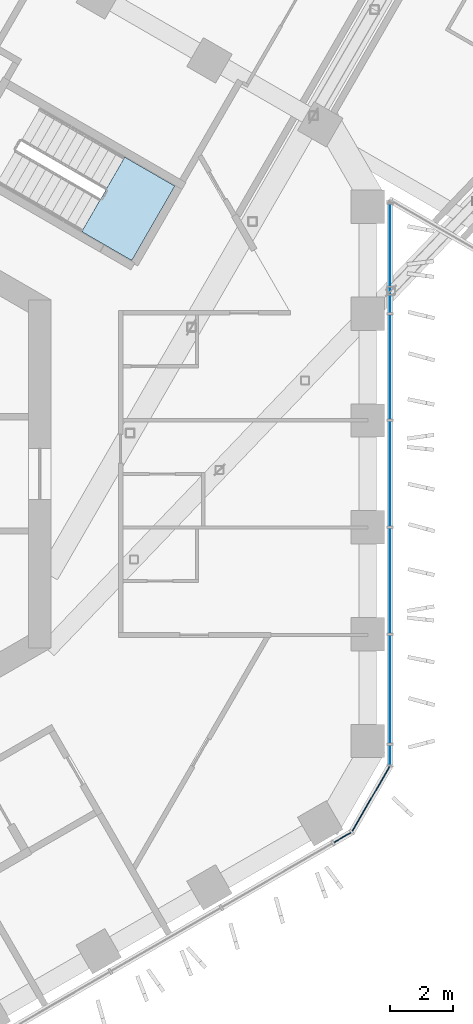
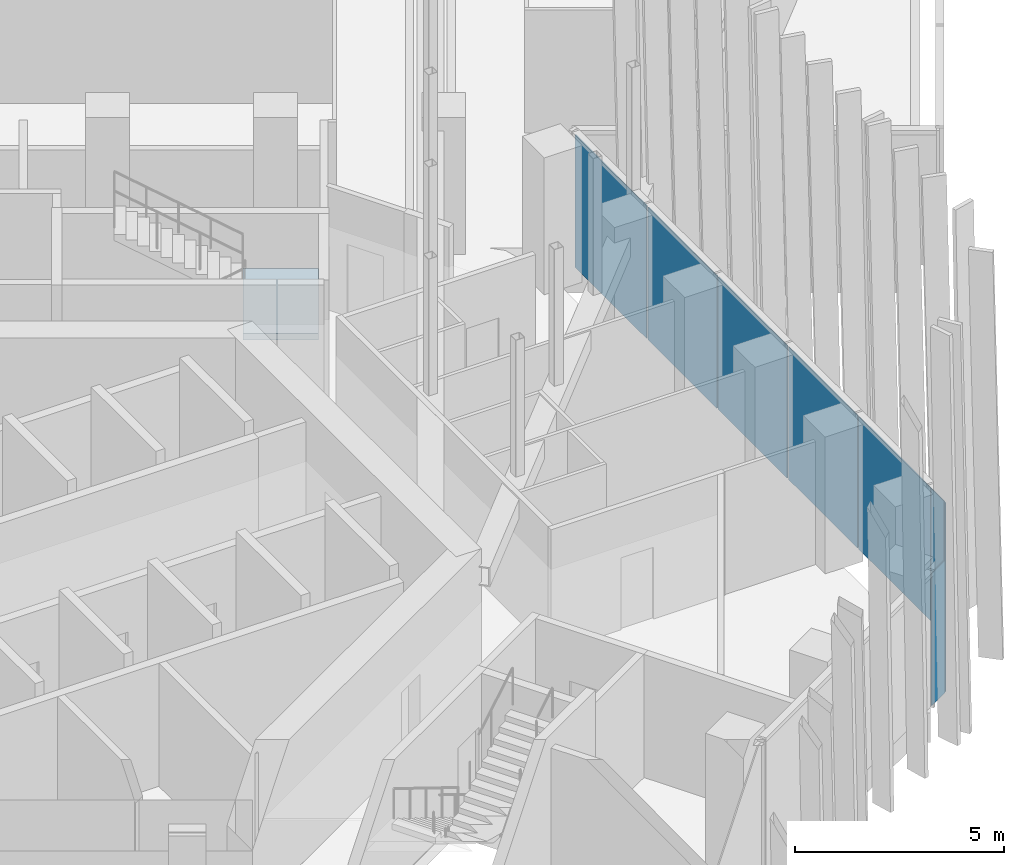
# One storey, part 15 of 31: 8 plates, 1 slab, 3 elements without a shape of their own.
"""IFC4 building model written with IfcOpenShell, lengths in metres."""

from ifc_helpers import new_model, si_unit, direction, frame, origin, origin_2d, place, context, subcontext, project, spatial, polyline, rectangle, outline, extrude, material, layer, layer_set, type_object, element, aggregate, save


model = new_model("IFC4")

# Units and contexts
model_context = context("Model", 3, precision=1e-05, world=origin(), true_north=direction((0.0, 1.0)))
body_context = subcontext(model_context, "Body", "Model", "MODEL_VIEW")
ifc_project = project(units=[si_unit("LENGTHUNIT", "METRE"), si_unit("AREAUNIT", "SQUARE_METRE"), si_unit("VOLUMEUNIT", "CUBIC_METRE"), si_unit("PLANEANGLEUNIT", "RADIAN"), si_unit("MASSUNIT", "GRAM", prefix="KILO")], contexts=[model_context])

# Site, building, storey
site_placement = place(None, origin())
site = spatial("IfcSite", under=ifc_project, at=site_placement, CompositionType="ELEMENT")
building_placement = place(site_placement, origin())
building = spatial("IfcBuilding", under=site, at=building_placement, Name="Ayvan Gate Tower", CompositionType="ELEMENT")
storey_placement = place(building_placement, frame((0.0, 0.0, 135.89990234375)))
storey = spatial("IfcBuildingStorey", under=building, at=storey_placement, Name="L36", CompositionType="ELEMENT", Elevation=135.89990234375)

# Stair, slab
ifc_material_1 = material(Name="Concrete C40/50", Category="concrete")
stair_type = type_object("IfcStairType", Name="ST-EXIT", PredefinedType="HALF_TURN_STAIR", material=ifc_material_1)
stair_placement = place(storey_placement, origin())
stair = element("IfcStair", 1, at=stair_placement, inside=storey, type_object=stair_type, Name="L36 Exit Stair S1", PredefinedType="HALF_TURN_STAIR")
ifc_layer_1 = layer(ifc_material_1, 0.199951171875)
ifc_layer_set_1 = layer_set([ifc_layer_1], Name="Concrete C40/50")
slab_type = type_object("IfcSlabType", Name="SL-LANDING-200", PredefinedType="LANDING", material=ifc_layer_set_1)
slab_placement = place(storey_placement, frame((0.0, 0.0, 1.800048828125)))
slab = element("IfcSlab", 2, at=slab_placement, type_object=slab_type, Name="STS1 landing 1", PredefinedType="LANDING", context=body_context, shape_type="SweptSolid", body=[
    extrude(outline(polyline([(10.473388671875, 7.630615234375), (12.049560546875, 6.720458984375), (13.404541015625, 9.0673828125), (11.828369140625, 9.9775390625), (10.473388671875, 7.630615234375)])), origin(), (0.0, 0.0, 1.0), 0.199951171875),
])
aggregate(stair, [slab])

# Curtain wall, plates
ifc_material_2 = material(Name="Bronze anodised aluminium", Category="aluminium")
ifc_layer_2 = layer(ifc_material_2, 0.199951171875)
ifc_layer_set_2 = layer_set([ifc_layer_2], Name="Bronze anodised aluminium")
curtain_wall_type_1 = type_object("IfcCurtainWallType", Name="Stick curtain wall CW-1", PredefinedType="NOTDEFINED", material=ifc_layer_set_2)
curtain_wall_1_placement = place(storey_placement, origin())
curtain_wall_1 = element("IfcCurtainWall", 3, at=curtain_wall_1_placement, inside=storey, type_object=curtain_wall_type_1, Name="Stick curtain wall CW-1 L36", PredefinedType="NOTDEFINED")
ifc_material_3 = material(Name="Clear low-iron laminated glass", Category="glass")
ifc_layer_3 = layer(ifc_material_3, 0.028076171875)
ifc_layer_set_3 = layer_set([ifc_layer_3], Name="Clear low-iron laminated glass")
plate_type_1 = type_object("IfcPlateType", Name="Stick curtain wall CW-1 glass panel", PredefinedType="CURTAIN_PANEL", material=ifc_layer_set_3)
plate_1_placement = place(storey_placement, frame((20.185546875, -6.796875, 0.000244140625), z_axis=(0.0, 0.0, 1.0), x_axis=(0.0, 1.0, 0.0)))
plate_1 = element("IfcPlate", 4, at=plate_1_placement, type_object=plate_type_1, Name="CW-1 glass panel 1", PredefinedType="CURTAIN_PANEL", context=body_context, shape_type="SweptSolid", body=[
    extrude(rectangle(XDim=3.43798828125, YDim=0.028076171875, at=origin_2d()), origin(), (0.0, 0.0, 1.0), 3.8798828125),
])
plate_2_placement = place(storey_placement, frame((20.185546875, -3.365478515625, 0.000244140625), z_axis=(0.0, 0.0, 1.0), x_axis=(0.0, 1.0, 0.0)))
plate_2 = element("IfcPlate", 5, at=plate_2_placement, type_object=plate_type_1, Name="CW-1 glass panel 2", PredefinedType="CURTAIN_PANEL", context=body_context, shape_type="SweptSolid", body=[
    extrude(rectangle(XDim=3.304931640625, YDim=0.028076171875, at=origin_2d()), origin(), (0.0, 0.0, 1.0), 3.8798828125),
])
plate_3_placement = place(storey_placement, frame((20.185546875, 0.0, 0.000244140625), z_axis=(0.0, 0.0, 1.0), x_axis=(0.0, 1.0, 0.0)))
plate_3 = element("IfcPlate", 6, at=plate_3_placement, type_object=plate_type_1, Name="CW-1 glass panel 3", PredefinedType="CURTAIN_PANEL", context=body_context, shape_type="SweptSolid", body=[
    extrude(rectangle(XDim=3.305908203125, YDim=0.028076171875, at=origin_2d()), origin(), (0.0, 0.0, 1.0), 3.8798828125),
])
ifc_material_4 = material(Name="Pale anodised aluminium composite panel", Category="aluminium")
ifc_layer_4 = layer(ifc_material_4, 0.028076171875)
ifc_layer_set_4 = layer_set([ifc_layer_4], Name="Pale anodised aluminium composite panel")
plate_type_2 = type_object("IfcPlateType", Name="Stick curtain wall CW-1 solid panel", PredefinedType="CURTAIN_PANEL", material=ifc_layer_set_4)
plate_4_placement = place(storey_placement, frame((20.185546875, 3.365478515625, 0.000244140625), z_axis=(0.0, 0.0, 1.0), x_axis=(0.0, 1.0, 0.0)))
plate_4 = element("IfcPlate", 7, at=plate_4_placement, type_object=plate_type_2, Name="CW-1 solid panel 4", PredefinedType="CURTAIN_PANEL", context=body_context, shape_type="SweptSolid", body=[
    extrude(rectangle(XDim=3.304931640625, YDim=0.028076171875, at=origin_2d()), origin(), (0.0, 0.0, 1.0), 3.8798828125),
])
plate_5_placement = place(storey_placement, frame((20.185546875, 6.797119140625, 0.000244140625), z_axis=(0.0, 0.0, 1.0), x_axis=(0.0, 1.0, 0.0)))
plate_5 = element("IfcPlate", 8, at=plate_5_placement, type_object=plate_type_2, Name="CW-1 solid panel 5", PredefinedType="CURTAIN_PANEL", context=body_context, shape_type="SweptSolid", body=[
    extrude(rectangle(XDim=3.437744140625, YDim=0.028076171875, at=origin_2d()), origin(), (0.0, 0.0, 1.0), 3.8798828125),
])
aggregate(curtain_wall_1, [plate_1, plate_2, plate_3, plate_4, plate_5])

ifc_layer_5 = layer(ifc_material_2, 0.199951171875)
ifc_layer_set_5 = layer_set([ifc_layer_5], Name="Bronze anodised aluminium")
curtain_wall_type_2 = type_object("IfcCurtainWallType", Name="Stick curtain wall CW-6", PredefinedType="NOTDEFINED", material=ifc_layer_set_5)
curtain_wall_2_placement = place(storey_placement, origin())
curtain_wall_2 = element("IfcCurtainWall", 9, at=curtain_wall_2_placement, inside=storey, type_object=curtain_wall_type_2, Name="Stick curtain wall CW-6 L36", PredefinedType="NOTDEFINED")
ifc_layer_6 = layer(ifc_material_3, 0.028076171875)
ifc_layer_set_6 = layer_set([ifc_layer_6], Name="Clear low-iron laminated glass")
plate_type_3 = type_object("IfcPlateType", Name="Stick curtain wall CW-6 glass panel", PredefinedType="CURTAIN_PANEL", material=ifc_layer_set_6)
plate_6_placement = place(storey_placement, frame((18.68603515625, -11.455810546875, 0.000244140625), z_axis=(0.0, 0.0, 1.0), x_axis=(0.866025403784, 0.5, 0.0)))
plate_6 = element("IfcPlate", 10, at=plate_6_placement, type_object=plate_type_3, Name="CW-6 glass panel 1", PredefinedType="CURTAIN_PANEL", context=body_context, shape_type="SweptSolid", body=[
    extrude(rectangle(XDim=0.625, YDim=0.028076171875, at=origin_2d()), origin(), (0.0, 0.0, 1.0), 3.8798828125),
])
plate_7_placement = place(storey_placement, frame((19.58203125, -10.241455078125, 0.000244140625), z_axis=(0.0, 0.0, 1.0), x_axis=(0.5, 0.866025403784, 0.0)))
plate_7 = element("IfcPlate", 11, at=plate_7_placement, type_object=plate_type_3, Name="CW-6 glass panel 2", PredefinedType="CURTAIN_PANEL", context=body_context, shape_type="SweptSolid", body=[
    extrude(rectangle(XDim=2.364501953125, YDim=0.028076171875, at=origin_2d()), origin(), (0.0, 0.0, 1.0), 3.8798828125),
])
plate_8_placement = place(storey_placement, frame((20.185546875, -8.8583984375, 0.000244140625), z_axis=(0.0, 0.0, 1.0), x_axis=(0.0, 1.0, 0.0)))
plate_8 = element("IfcPlate", 12, at=plate_8_placement, type_object=plate_type_3, Name="CW-6 glass panel 3", PredefinedType="CURTAIN_PANEL", context=body_context, shape_type="SweptSolid", body=[
    extrude(rectangle(XDim=0.625, YDim=0.028076171875, at=origin_2d()), origin(), (0.0, 0.0, 1.0), 3.8798828125),
])
aggregate(curtain_wall_2, [plate_6, plate_7, plate_8])

save(model, "model.ifc")
